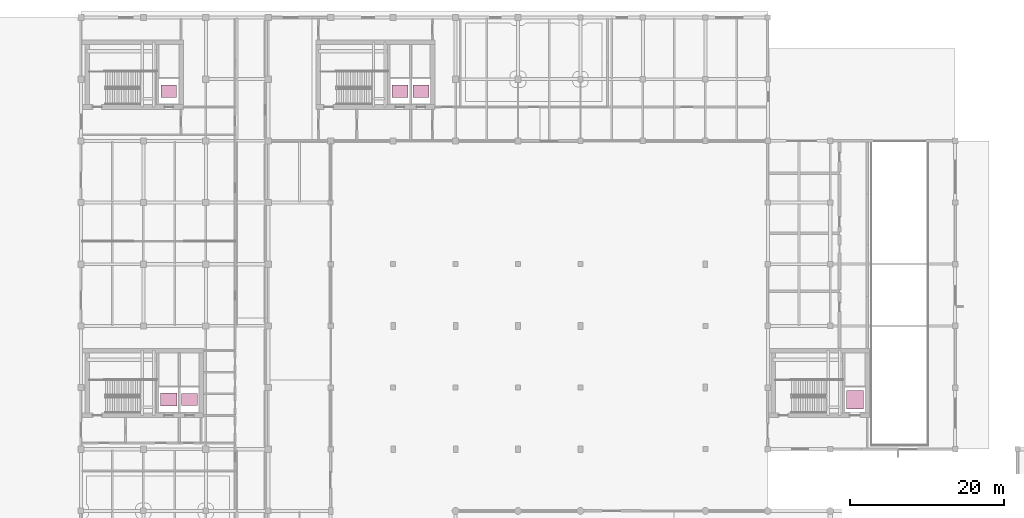
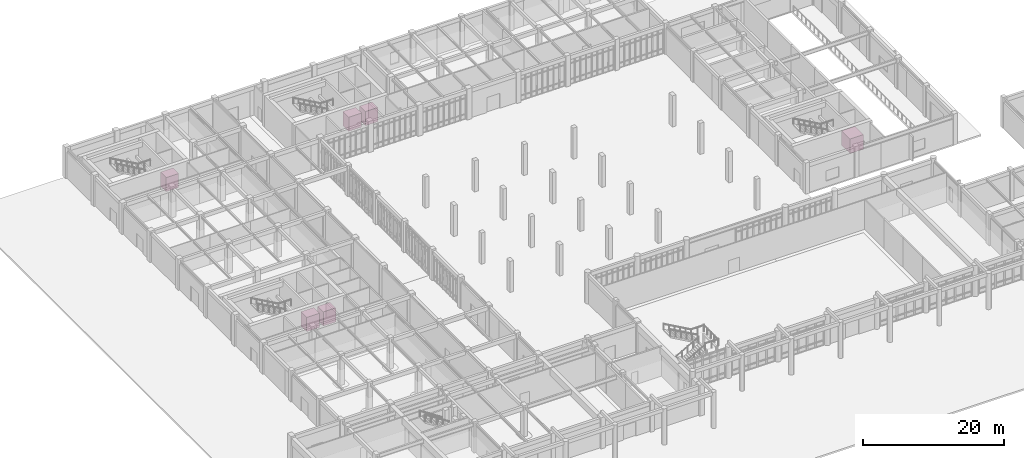
# One storey, part 62 of 62: 6 transport elements.
"""IFC4 building model written with IfcOpenShell, lengths in metres."""

from ifc_helpers import new_model, si_unit, direction, frame, origin, origin_2d, place, context, subcontext, project, spatial, rectangle, extrude, material, type_object, element, save


model = new_model("IFC4")

# Units and contexts
model_context = context("Model", 3, precision=1e-05, world=origin(), true_north=direction((0.0, 1.0)))
body_context = subcontext(model_context, "Body", "Model", "MODEL_VIEW")
ifc_project = project(units=[si_unit("LENGTHUNIT", "METRE"), si_unit("AREAUNIT", "SQUARE_METRE"), si_unit("VOLUMEUNIT", "CUBIC_METRE"), si_unit("PLANEANGLEUNIT", "RADIAN"), si_unit("MASSUNIT", "GRAM", prefix="KILO")], contexts=[model_context])

# Site, building, storey
site_placement = place(None, origin())
site = spatial("IfcSite", under=ifc_project, at=site_placement, CompositionType="ELEMENT")
building_placement = place(site_placement, origin())
building = spatial("IfcBuilding", under=site, at=building_placement, Name="Tarnveldt Square Police Headquarters", CompositionType="ELEMENT")
storey_placement = place(building_placement, origin())
storey = spatial("IfcBuildingStorey", under=building, at=storey_placement, Name="L00", CompositionType="ELEMENT", Elevation=0.0)

# Transport elements
ifc_material = material(Name="Steel 350W", Category="steel")
transport_element_type_1 = type_object("IfcTransportElementType", Name="LFT-FF-2000", PredefinedType="ELEVATOR", material=ifc_material)
for number, where, z_axis, x_axis, name in (
    (1, (27.58251953125, 62.449951171875, 0.0), (0.0, 0.0, 1.0), (1.0, 0.0, 0.0), "Firefighters Stretcher Elevator LF1"),
    (2, (57.58251953125, 102.449951171875, 0.0), (0.0, 0.0, 1.0), (1.0, 0.0, 0.0), "Firefighters Stretcher Elevator LF2"),
):
    element("IfcTransportElement", number, at=place(storey_placement, frame(where, z_axis=z_axis, x_axis=x_axis)), inside=storey, type_object=transport_element_type_1, Name=name, PredefinedType="ELEVATOR", context=body_context, shape_type="SweptSolid", body=[
        extrude(rectangle(XDim=2.10009765625, YDim=1.64990234375, at=origin_2d()), origin(), (0.0, 0.0, 1.0), 2.449951171875),
    ])
transport_element_type_2 = type_object("IfcTransportElementType", Name="LFT-PAX-1600", PredefinedType="ELEVATOR", material=ifc_material)
for number, where, z_axis, x_axis, name in (
    (3, (30.297607421875, 62.449951171875, 0.0), (0.0, 0.0, 1.0), (1.0, 0.0, 0.0), "Passenger Elevator LP1"),
    (4, (27.60498046875, 102.449951171875, 0.0), (0.0, 0.0, 1.0), (1.0, 0.0, 0.0), "Passenger Elevator LP2"),
    (5, (60.297607421875, 102.449951171875, 0.0), (0.0, 0.0, 1.0), (1.0, 0.0, 0.0), "Passenger Elevator LP3"),
):
    element("IfcTransportElement", number, at=place(storey_placement, frame(where, z_axis=z_axis, x_axis=x_axis)), inside=storey, type_object=transport_element_type_2, Name=name, PredefinedType="ELEVATOR", context=body_context, shape_type="SweptSolid", body=[
        extrude(rectangle(XDim=2.050048828125, YDim=1.60009765625, at=origin_2d()), origin(), (0.0, 0.0, 1.0), 2.449951171875),
    ])
transport_element_type_3 = type_object("IfcTransportElementType", Name="LFT-SRV-2500", PredefinedType="ELEVATOR", material=ifc_material)
transport_element_placement = place(storey_placement, frame((116.60498046875, 62.449951171875, 0.0), z_axis=(0.0, 0.0, 1.0), x_axis=(1.0, 0.0, 0.0)))
element("IfcTransportElement", 6, at=transport_element_placement, inside=storey, type_object=transport_element_type_3, Name="Custody and Service Freight Elevator LS1", PredefinedType="ELEVATOR", context=body_context, shape_type="SweptSolid", body=[
    extrude(rectangle(XDim=2.199951171875, YDim=2.39990234375, at=origin_2d()), origin(), (0.0, 0.0, 1.0), 2.5),
])

save(model, "model.ifc")
